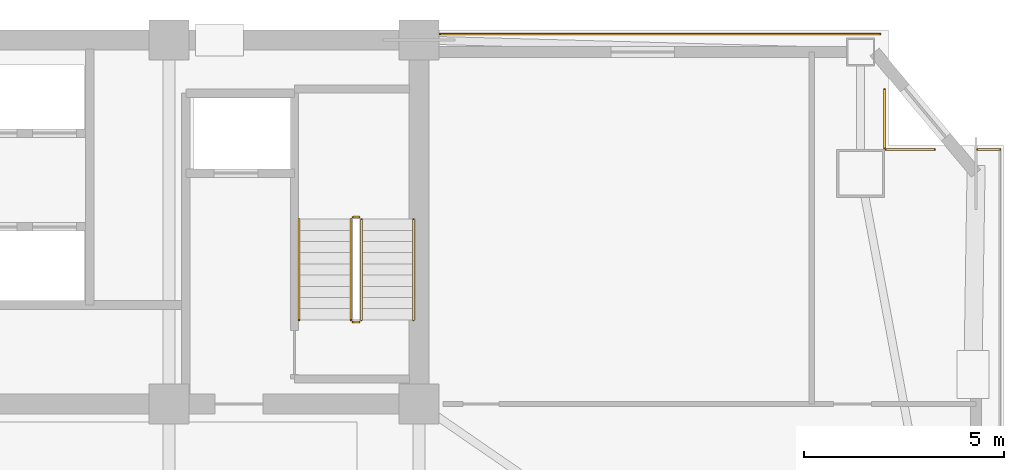
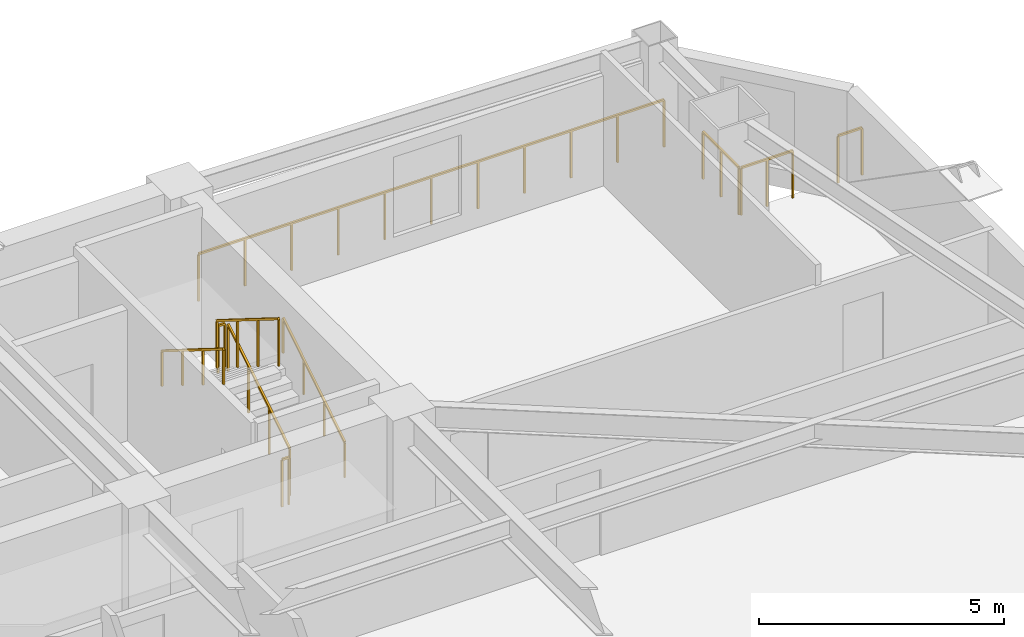
# One storey, part 15 of 15: 10 railings.
"""IFC4 building model written with IfcOpenShell, lengths in metres."""

import ifcopenshell
import ifcopenshell.guid

model = None  # the IFC model being written
_history = None  # IfcOwnerHistory: only IFC2X3 demands one
_inside = {}  # id of a spatial element -> (the spatial element, [elements in it])
_under = {}  # id of a project, library or spatial element -> (it, [spatial elements below it])
_declared = {}  # id of a project -> (the project, [libraries it declares])
_typed = {}  # id of a type object -> (the type object, [elements of that type])
_made_of = {}  # id of a material, layer set ... -> (it, [elements and type objects made of it])


def new_model(schema):
    """Start an empty IFC model of exactly this schema.

    Asked for "IFC4X3", IfcOpenShell would pick the latest addendum, in which some entities
    have other attributes; the version numbers below select the first issue.
    IFC2X3 requires an IfcOwnerHistory on every rooted entity: one is made here for all.
    """
    global model, _history
    if schema == "IFC4X3":
        model = ifcopenshell.file(schema_version=(4, 3, 0, 0))
    else:
        model = ifcopenshell.file(schema=schema)
    _inside.clear()
    _under.clear()
    _declared.clear()
    _typed.clear()
    _made_of.clear()
    _history = None
    if model.schema == "IFC2X3":
        org = make("IfcOrganization", Name="unknown")
        user = make(
            "IfcPersonAndOrganization",
            ThePerson=make("IfcPerson", FamilyName="unknown"),
            TheOrganization=org,
        )
        app = make(
            "IfcApplication",
            ApplicationDeveloper=org,
            Version="unknown",
            ApplicationFullName="unknown",
            ApplicationIdentifier="unknown",
        )
        _history = make(
            "IfcOwnerHistory",
            OwningUser=user,
            OwningApplication=app,
            ChangeAction="ADDED",
            CreationDate=0,
        )
    return model


def make(cls, **values):
    """One entity of the class cls with the attributes given. An attribute that is None is left unset."""
    return model.create_entity(
        cls, **{name: value for name, value in values.items() if value is not None}
    )


def rooted(cls, **values):
    """An entity with a GlobalId (a new one), such as an element, a storey or a relation."""
    return make(cls, GlobalId=ifcopenshell.guid.new(), OwnerHistory=_history, **values)


def si_unit(unit_type, name, prefix=None):
    """IfcSIUnit, for example si_unit("LENGTHUNIT", "METRE", prefix="MILLI")."""
    return make("IfcSIUnit", UnitType=unit_type, Prefix=prefix, Name=name)


def assignment(units):
    """IfcUnitAssignment: the units of a project."""
    return None if units is None else make("IfcUnitAssignment", Units=units)


def point(xyz):
    """IfcCartesianPoint."""
    return None if xyz is None else make("IfcCartesianPoint", Coordinates=xyz)


def direction(xyz):
    """IfcDirection."""
    return None if xyz is None else make("IfcDirection", DirectionRatios=xyz)


def frame(location, z_axis=None, x_axis=None):
    """IfcAxis2Placement3D, a coordinate frame: its origin and axes. An axis left out is left unset."""
    return make(
        "IfcAxis2Placement3D",
        Location=point(location),
        Axis=direction(z_axis),
        RefDirection=direction(x_axis),
    )


def frame_2d(location, x_axis=None):
    """IfcAxis2Placement2D, a coordinate frame in the plane: its origin and x axis."""
    return make(
        "IfcAxis2Placement2D", Location=point(location), RefDirection=direction(x_axis)
    )


def origin():
    """The frame at (0, 0, 0) with its axes left unset."""
    return frame((0.0, 0.0, 0.0))


def origin_2d():
    """The frame at (0, 0) in the plane with its x axis left unset."""
    return frame_2d((0.0, 0.0))


def place(relative_to, where):
    """IfcLocalPlacement: puts the frame where relative to a parent placement (None: the world)."""
    return make(
        "IfcLocalPlacement", PlacementRelTo=relative_to, RelativePlacement=where
    )


def context(
    kind, dimensions, precision=None, world=None, true_north=None, identifier=None
):
    """IfcGeometricRepresentationContext, for example the 3D "Model" context."""
    return make(
        "IfcGeometricRepresentationContext",
        ContextIdentifier=identifier,
        ContextType=kind,
        CoordinateSpaceDimension=dimensions,
        Precision=precision,
        WorldCoordinateSystem=world,
        TrueNorth=true_north,
    )


def subcontext(parent, identifier, kind, view, scale=None):
    """IfcGeometricRepresentationSubContext, for example "Body" below "Model"."""
    return make(
        "IfcGeometricRepresentationSubContext",
        ContextIdentifier=identifier,
        ContextType=kind,
        ParentContext=parent,
        TargetScale=scale,
        TargetView=view,
    )


def project(units=None, contexts=None):
    """IfcProject with its units and contexts."""
    return rooted(
        "IfcProject",
        Name="project",
        RepresentationContexts=contexts,
        UnitsInContext=assignment(units),
    )


def spatial(cls, under=None, at=None, **own):
    """A site, building, storey or space (cls), placed at a placement, below another one or the project."""
    s = rooted(cls, ObjectPlacement=at, **own)
    if under is not None:
        _under.setdefault(under.id(), (under, []))[1].append(s)
    return s


def profile(cls, at=None, kind="AREA", **sizes):
    """A parametric profile (cls). Its sizes go by their IFC names, for example OverallWidth=200.0."""
    return make(cls, ProfileType=kind, Position=at, **sizes)


def rectangle(**sizes):
    """IfcRectangleProfileDef."""
    return profile("IfcRectangleProfileDef", **sizes)


def extrude(swept, where, along, depth):
    """IfcExtrudedAreaSolid: the profile swept, set in the frame where, extruded along a direction by depth."""
    return make(
        "IfcExtrudedAreaSolid",
        SweptArea=swept,
        Position=where,
        ExtrudedDirection=direction(along),
        Depth=depth,
    )


def shape(context_of_items, identifier, shape_type, items):
    """IfcShapeRepresentation: the items that make up one representation, for example the "Body"."""
    return make(
        "IfcShapeRepresentation",
        ContextOfItems=context_of_items,
        RepresentationIdentifier=identifier,
        RepresentationType=shape_type,
        Items=items,
    )


def material(Name=None, Category=None):
    """IfcMaterial."""
    return make("IfcMaterial", Name=Name, Category=Category)


def made_of(thing, what):
    """Note that an element or type object is made of a material, layer set ...; save() writes the relation."""
    if what is not None:
        _made_of.setdefault(what.id(), (what, []))[1].append(thing)
    return thing


def type_object(cls, material=None, **own):
    """A type object (cls), such as IfcWallType, which elements share."""
    return made_of(rooted(cls, **own), material)


def element(
    cls,
    number,
    at=None,
    inside=None,
    cuts=None,
    type_object=None,
    material=None,
    context=None,
    identifier="Body",
    shape_type=None,
    held_by="IfcProductDefinitionShape",
    body=None,
    shapes=None,
    **own,
):
    """One element of the class cls, such as IfcWall. Its Tag is "e" and its number.

    at: its placement. inside: the storey or other place that contains it. cuts: it is an
    opening in that element (IfcRelVoidsElement). A single representation is given by context,
    identifier, shape_type and body (its items); several are given by shapes. held_by: the class
    of the entity that holds the representations. save() writes the other relations.
    """
    e = rooted(cls, Tag="e%d" % number, ObjectPlacement=at, **own)
    if body is not None:
        shapes = [shape(context, identifier, shape_type, body)]
    if shapes is not None:
        e.Representation = make(held_by, Representations=shapes)
    if inside is not None:
        _inside.setdefault(inside.id(), (inside, []))[1].append(e)
    if cuts is not None:
        rooted(
            "IfcRelVoidsElement", RelatingBuildingElement=cuts, RelatedOpeningElement=e
        )
    if type_object is not None:
        _typed.setdefault(type_object.id(), (type_object, []))[1].append(e)
    return made_of(e, material)


def aggregate(whole, parts):
    """IfcRelAggregates: a whole, such as a stair, and the parts it consists of."""
    return rooted("IfcRelAggregates", RelatingObject=whole, RelatedObjects=parts)


def save(model, path):
    """Write the relations noted so far, then the file.

    IfcRelAggregates (storeys below a building ...), IfcRelContainedInSpatialStructure (elements
    in a storey), IfcRelDefinesByType, IfcRelAssociatesMaterial and IfcRelDeclares: one each for
    every whole, place, type object, material and project.
    """
    for whole, parts in _under.values():
        aggregate(whole, parts)
    for where, things in _inside.values():
        rooted(
            "IfcRelContainedInSpatialStructure",
            RelatedElements=things,
            RelatingStructure=where,
        )
    for kind, things in _typed.values():
        rooted("IfcRelDefinesByType", RelatedObjects=things, RelatingType=kind)
    for what, things in _made_of.values():
        rooted("IfcRelAssociatesMaterial", RelatedObjects=things, RelatingMaterial=what)
    for by, libraries in _declared.values():
        rooted("IfcRelDeclares", RelatingContext=by, RelatedDefinitions=libraries)
    model.write(path)


model = new_model("IFC4")

# Units and contexts
model_context = context("Model", 3, precision=1e-05, world=origin(), true_north=direction((0.0, 1.0)))
body_context = subcontext(model_context, "Body", "Model", "MODEL_VIEW")
ifc_project = project(units=[si_unit("LENGTHUNIT", "METRE"), si_unit("AREAUNIT", "SQUARE_METRE"), si_unit("VOLUMEUNIT", "CUBIC_METRE"), si_unit("PLANEANGLEUNIT", "RADIAN"), si_unit("MASSUNIT", "GRAM", prefix="KILO")], contexts=[model_context])

# Site, building, storey
site_placement = place(None, origin())
site = spatial("IfcSite", under=ifc_project, at=site_placement, CompositionType="ELEMENT")
building_placement = place(site_placement, origin())
building = spatial("IfcBuilding", under=site, at=building_placement, Name="Giltprow Tower", CompositionType="ELEMENT")
storey_placement = place(building_placement, frame((0.0, 0.0, 170.199951171875)))
storey = spatial("IfcBuildingStorey", under=building, at=storey_placement, Name="L42", CompositionType="ELEMENT", Elevation=170.199951171875)

# Railings
ifc_material = material(Name="Anodized bronze", Category="metal")
railing_type_1 = type_object("IfcRailingType", Name="RAIL-BALC-GUARD-1200", PredefinedType="BALUSTRADE", material=ifc_material)
railing_1_placement = place(storey_placement, frame((51.0849609375, 46.699951171875, 0.0)))
element("IfcRailing", 1, at=railing_1_placement, inside=storey, type_object=railing_type_1, Name="L42 Corner Apron Edge Balustrade 10", PredefinedType="BALUSTRADE", context=body_context, shape_type="SweptSolid", body=[
    extrude(rectangle(XDim=0.048095703125, YDim=0.048095703125, at=origin_2d()), frame((0.0, 0.0, 1.17578125), z_axis=(1.0, 0.0, 0.0), x_axis=(0.0, 1.0, 0.0)), (0.0, 0.0, 1.0), 10.991943359375),
    extrude(rectangle(XDim=0.0419921875, YDim=0.0419921875, at=origin_2d()), origin(), (0.0, 0.0, 1.0), 1.15185546875),
    extrude(rectangle(XDim=0.0419921875, YDim=0.0419921875, at=origin_2d()), frame((1.09912109375, 0.0, 0.0)), (0.0, 0.0, 1.0), 1.15185546875),
    extrude(rectangle(XDim=0.0419921875, YDim=0.0419921875, at=origin_2d()), frame((2.198486328125, 0.0, 0.0)), (0.0, 0.0, 1.0), 1.15185546875),
    extrude(rectangle(XDim=0.0419921875, YDim=0.0419921875, at=origin_2d()), frame((3.297607421875, 0.0, 0.0)), (0.0, 0.0, 1.0), 1.15185546875),
    extrude(rectangle(XDim=0.0419921875, YDim=0.0419921875, at=origin_2d()), frame((4.396728515625, 0.0, 0.0)), (0.0, 0.0, 1.0), 1.15185546875),
    extrude(rectangle(XDim=0.0419921875, YDim=0.0419921875, at=origin_2d()), frame((5.49609375, 0.0, 0.0)), (0.0, 0.0, 1.0), 1.15185546875),
    extrude(rectangle(XDim=0.0419921875, YDim=0.0419921875, at=origin_2d()), frame((6.59521484375, 0.0, 0.0)), (0.0, 0.0, 1.0), 1.15185546875),
    extrude(rectangle(XDim=0.0419921875, YDim=0.0419921875, at=origin_2d()), frame((7.6943359375, 0.0, 0.0)), (0.0, 0.0, 1.0), 1.15185546875),
    extrude(rectangle(XDim=0.0419921875, YDim=0.0419921875, at=origin_2d()), frame((8.79345703125, 0.0, 0.0)), (0.0, 0.0, 1.0), 1.15185546875),
    extrude(rectangle(XDim=0.0419921875, YDim=0.0419921875, at=origin_2d()), frame((9.892822265625, 0.0, 0.0)), (0.0, 0.0, 1.0), 1.15185546875),
    extrude(rectangle(XDim=0.0419921875, YDim=0.0419921875, at=origin_2d()), frame((10.991943359375, 0.0, 0.0)), (0.0, 0.0, 1.0), 1.15185546875),
])
railing_2_placement = place(storey_placement, frame((62.194091796875, 45.31103515625, 0.0)))
element("IfcRailing", 2, at=railing_2_placement, inside=storey, type_object=railing_type_1, Name="L42 Corner Apron Edge Balustrade 11", PredefinedType="BALUSTRADE", context=body_context, shape_type="SweptSolid", body=[
    extrude(rectangle(XDim=0.048095703125, YDim=0.048095703125, at=origin_2d()), frame((0.0, 0.0, 1.17578125), z_axis=(0.0, -1.0, 0.0), x_axis=(1.0, 0.0, 0.0)), (0.0, 0.0, 1.0), 1.463134765625),
    extrude(rectangle(XDim=0.0419921875, YDim=0.0419921875, at=origin_2d()), origin(), (0.0, 0.0, 1.0), 1.15185546875),
    extrude(rectangle(XDim=0.0419921875, YDim=0.0419921875, at=origin_2d()), frame((0.0, -0.7314453125, 0.0)), (0.0, 0.0, 1.0), 1.15185546875),
    extrude(rectangle(XDim=0.0419921875, YDim=0.0419921875, at=origin_2d()), frame((0.0, -1.463134765625, 0.0)), (0.0, 0.0, 1.0), 1.15185546875),
])
railing_3_placement = place(storey_placement, frame((62.22900390625, 43.81298828125, 0.0)))
element("IfcRailing", 3, at=railing_3_placement, inside=storey, type_object=railing_type_1, Name="L42 Corner Apron Edge Balustrade 12", PredefinedType="BALUSTRADE", context=body_context, shape_type="SweptSolid", body=[
    extrude(rectangle(XDim=0.048095703125, YDim=0.048095703125, at=origin_2d()), frame((0.0, 0.0, 1.17578125), z_axis=(1.0, 0.0, 0.0), x_axis=(0.0, 1.0, 0.0)), (0.0, 0.0, 1.0), 1.217041015625),
    extrude(rectangle(XDim=0.0419921875, YDim=0.0419921875, at=origin_2d()), origin(), (0.0, 0.0, 1.0), 1.15185546875),
    extrude(rectangle(XDim=0.0419921875, YDim=0.0419921875, at=origin_2d()), frame((0.6083984375, 0.0, 0.0)), (0.0, 0.0, 1.0), 1.15185546875),
    extrude(rectangle(XDim=0.0419921875, YDim=0.0419921875, at=origin_2d()), frame((1.217041015625, 0.0, 0.0)), (0.0, 0.0, 1.0), 1.15185546875),
])
railing_4_placement = place(storey_placement, frame((64.513916015625, 43.81298828125, 0.0)))
element("IfcRailing", 4, at=railing_4_placement, inside=storey, type_object=railing_type_1, Name="L42 Corner Apron Edge Balustrade 13", PredefinedType="BALUSTRADE", context=body_context, shape_type="SweptSolid", body=[
    extrude(rectangle(XDim=0.048095703125, YDim=0.048095703125, at=origin_2d()), frame((0.0, 0.0, 1.17578125), z_axis=(1.0, 0.0, 0.0), x_axis=(0.0, 1.0, 0.0)), (0.0, 0.0, 1.0), 0.567138671875),
    extrude(rectangle(XDim=0.0419921875, YDim=0.0419921875, at=origin_2d()), origin(), (0.0, 0.0, 1.0), 1.15185546875),
    extrude(rectangle(XDim=0.0419921875, YDim=0.0419921875, at=origin_2d()), frame((0.567138671875, 0.0, 0.0)), (0.0, 0.0, 1.0), 1.15185546875),
])
railing_type_2 = type_object("IfcRailingType", Name="RAIL-STAIR-GUARD-1200", PredefinedType="GUARDRAIL", material=ifc_material)
railing_5_placement = place(storey_placement, frame((49.110107421875, 39.550048828125, 0.175048828125)))
element("IfcRailing", 5, at=railing_5_placement, inside=storey, type_object=railing_type_2, Name="L42 ST-3 stair guard 1", PredefinedType="GUARDRAIL", context=body_context, shape_type="SweptSolid", body=[
    extrude(rectangle(XDim=0.048095703125, YDim=0.048095703125, at=origin_2d()), frame((0.0, 0.0, 1.17578125), z_axis=(0.0, 0.848007534815, 0.529984170421), x_axis=(-1.0, 0.0, 0.0)), (0.0, 0.0, 1.0), 2.9716796875),
    extrude(rectangle(XDim=0.0419921875, YDim=0.0419921875, at=origin_2d()), origin(), (0.0, 0.0, 1.0), 1.15185546875),
    extrude(rectangle(XDim=0.0419921875, YDim=0.0419921875, at=origin_2d()), frame((0.0, 0.840087890625, 0.52490234375)), (0.0, 0.0, 1.0), 1.15185546875),
    extrude(rectangle(XDim=0.0419921875, YDim=0.0419921875, at=origin_2d()), frame((0.0, 1.679931640625, 1.050048828125)), (0.0, 0.0, 1.0), 1.15185546875),
    extrude(rectangle(XDim=0.0419921875, YDim=0.0419921875, at=origin_2d()), frame((0.0, 2.52001953125, 1.574951171875)), (0.0, 0.0, 1.0), 1.15185546875),
])
railing_6_placement = place(storey_placement, frame((49.06005859375, 42.1201171875, 1.75)))
element("IfcRailing", 6, at=railing_6_placement, inside=storey, type_object=railing_type_2, Name="L42 ST-3 stair guard 2", PredefinedType="GUARDRAIL", context=body_context, shape_type="SweptSolid", body=[
    extrude(rectangle(XDim=0.048095703125, YDim=0.048095703125, at=origin_2d()), frame((0.0, 0.0, 1.17578125), z_axis=(-1.0, 0.0, 0.0), x_axis=(0.0, -1.0, 0.0)), (0.0, 0.0, 1.0), 0.16015625),
    extrude(rectangle(XDim=0.0419921875, YDim=0.0419921875, at=origin_2d()), origin(), (0.0, 0.0, 1.0), 1.15185546875),
    extrude(rectangle(XDim=0.0419921875, YDim=0.0419921875, at=origin_2d()), frame((-0.16015625, 0.0, 0.0)), (0.0, 0.0, 1.0), 1.15185546875),
])
railing_7_placement = place(storey_placement, frame((48.85009765625, 42.070068359375, 1.925048828125)))
element("IfcRailing", 7, at=railing_7_placement, inside=storey, type_object=railing_type_2, Name="L42 ST-3 stair guard 3", PredefinedType="GUARDRAIL", context=body_context, shape_type="SweptSolid", body=[
    extrude(rectangle(XDim=0.048095703125, YDim=0.048095703125, at=origin_2d()), frame((0.0, 0.0, 1.17578125), z_axis=(0.0, -0.848007534815, 0.529984170421), x_axis=(1.0, 0.0, 0.0)), (0.0, 0.0, 1.0), 2.9716796875),
    extrude(rectangle(XDim=0.0419921875, YDim=0.0419921875, at=origin_2d()), origin(), (0.0, 0.0, 1.0), 1.15185546875),
    extrude(rectangle(XDim=0.0419921875, YDim=0.0419921875, at=origin_2d()), frame((0.0, -0.840087890625, 0.52490234375)), (0.0, 0.0, 1.0), 1.15185546875),
    extrude(rectangle(XDim=0.0419921875, YDim=0.0419921875, at=origin_2d()), frame((0.0, -1.679931640625, 1.050048828125)), (0.0, 0.0, 1.0), 1.15185546875),
    extrude(rectangle(XDim=0.0419921875, YDim=0.0419921875, at=origin_2d()), frame((0.0, -2.52001953125, 1.574951171875)), (0.0, 0.0, 1.0), 1.15185546875),
])
railing_8_placement = place(storey_placement, frame((49.06005859375, 39.5, 0.0)))
element("IfcRailing", 8, at=railing_8_placement, inside=storey, type_object=railing_type_2, Name="L42 ST-3 stair guard 4", PredefinedType="GUARDRAIL", context=body_context, shape_type="SweptSolid", body=[
    extrude(rectangle(XDim=0.048095703125, YDim=0.048095703125, at=origin_2d()), frame((0.0, 0.0, 1.17578125), z_axis=(-1.0, 0.0, 0.0), x_axis=(0.0, -1.0, 0.0)), (0.0, 0.0, 1.0), 0.16015625),
    extrude(rectangle(XDim=0.0419921875, YDim=0.0419921875, at=origin_2d()), origin(), (0.0, 0.0, 1.0), 1.15185546875),
    extrude(rectangle(XDim=0.0419921875, YDim=0.0419921875, at=origin_2d()), frame((-0.16015625, 0.0, 0.0)), (0.0, 0.0, 1.0), 1.15185546875),
])
railing_type_3 = type_object("IfcRailingType", Name="RAIL-STAIR-HAND-900", PredefinedType="HANDRAIL", material=ifc_material)
railing_9_placement = place(storey_placement, frame((50.409912109375, 39.550048828125, 0.175048828125)))
element("IfcRailing", 9, at=railing_9_placement, inside=storey, type_object=railing_type_3, Name="L42 ST-3 stair handrail 1", PredefinedType="HANDRAIL", context=body_context, shape_type="SweptSolid", body=[
    extrude(rectangle(XDim=0.048095703125, YDim=0.048095703125, at=origin_2d()), frame((0.0, 0.0, 0.8759765625), z_axis=(0.0, 0.848007534815, 0.529984170421), x_axis=(-1.0, 0.0, 0.0)), (0.0, 0.0, 1.0), 2.9716796875),
    extrude(rectangle(XDim=0.0419921875, YDim=0.0419921875, at=origin_2d()), origin(), (0.0, 0.0, 1.0), 0.851806640625),
    extrude(rectangle(XDim=0.0419921875, YDim=0.0419921875, at=origin_2d()), frame((0.0, 0.840087890625, 0.52490234375)), (0.0, 0.0, 1.0), 0.851806640625),
    extrude(rectangle(XDim=0.0419921875, YDim=0.0419921875, at=origin_2d()), frame((0.0, 1.679931640625, 1.050048828125)), (0.0, 0.0, 1.0), 0.851806640625),
    extrude(rectangle(XDim=0.0419921875, YDim=0.0419921875, at=origin_2d()), frame((0.0, 2.52001953125, 1.574951171875)), (0.0, 0.0, 1.0), 0.851806640625),
])
railing_10_placement = place(storey_placement, frame((47.550048828125, 42.070068359375, 1.925048828125)))
element("IfcRailing", 10, at=railing_10_placement, inside=storey, type_object=railing_type_3, Name="L42 ST-3 stair handrail 2", PredefinedType="HANDRAIL", context=body_context, shape_type="SweptSolid", body=[
    extrude(rectangle(XDim=0.048095703125, YDim=0.048095703125, at=origin_2d()), frame((0.0, 0.0, 0.8759765625), z_axis=(0.0, -0.848007534815, 0.529984170421), x_axis=(1.0, 0.0, 0.0)), (0.0, 0.0, 1.0), 2.9716796875),
    extrude(rectangle(XDim=0.0419921875, YDim=0.0419921875, at=origin_2d()), origin(), (0.0, 0.0, 1.0), 0.851806640625),
    extrude(rectangle(XDim=0.0419921875, YDim=0.0419921875, at=origin_2d()), frame((0.0, -0.840087890625, 0.52490234375)), (0.0, 0.0, 1.0), 0.851806640625),
    extrude(rectangle(XDim=0.0419921875, YDim=0.0419921875, at=origin_2d()), frame((0.0, -1.679931640625, 1.050048828125)), (0.0, 0.0, 1.0), 0.851806640625),
    extrude(rectangle(XDim=0.0419921875, YDim=0.0419921875, at=origin_2d()), frame((0.0, -2.52001953125, 1.574951171875)), (0.0, 0.0, 1.0), 0.851806640625),
])

save(model, "model.ifc")
